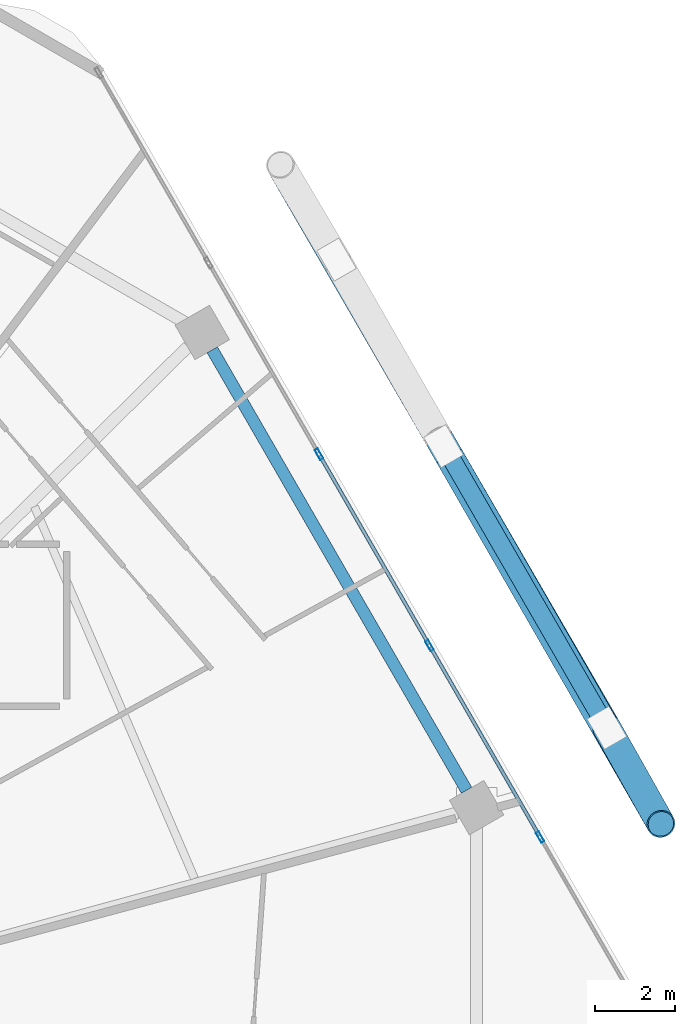
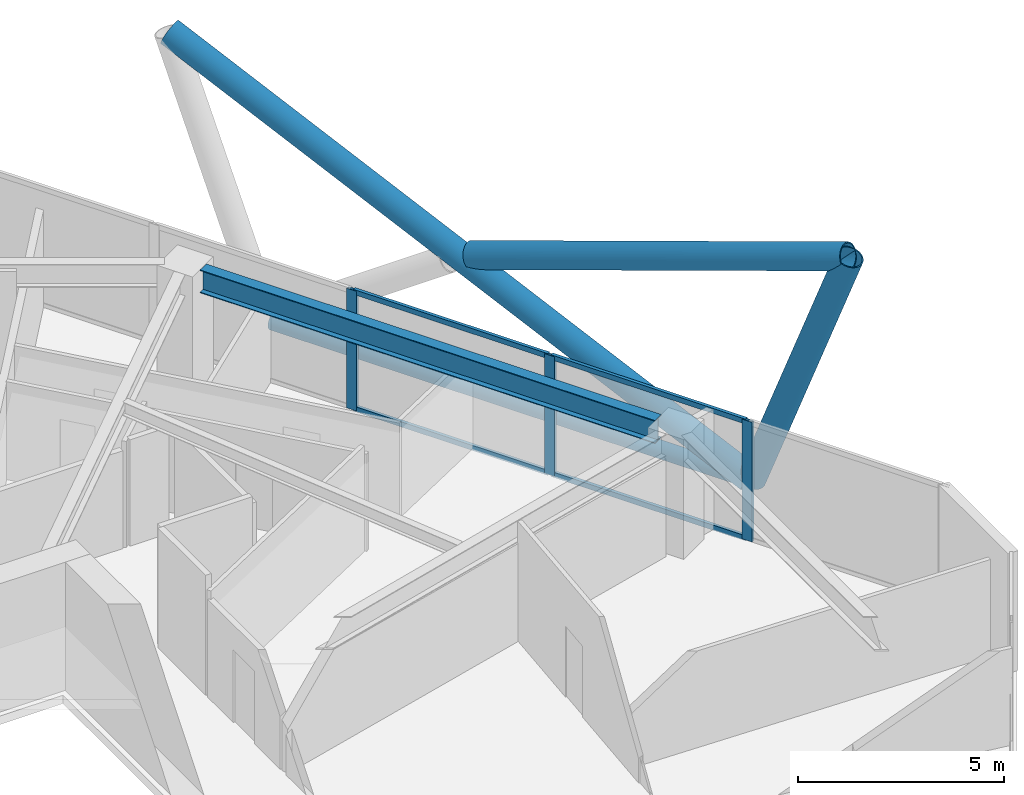
# One storey, part 17 of 29: 11 members, 1 beam, 1 element without a shape of its own.
"""IFC4 building model written with IfcOpenShell, lengths in metres."""

from ifc_helpers import new_model, si_unit, direction, frame, origin, origin_2d, place, context, subcontext, project, spatial, hollow_rectangle, hollow_circle, i_section, extrude, material, material_profile, profile_set, type_object, element, aggregate, save


model = new_model("IFC4")

# Units and contexts
model_context = context("Model", 3, precision=1e-05, world=origin(), true_north=direction((0.0, 1.0)))
body_context = subcontext(model_context, "Body", "Model", "MODEL_VIEW")
ifc_project = project(units=[si_unit("LENGTHUNIT", "METRE"), si_unit("AREAUNIT", "SQUARE_METRE"), si_unit("VOLUMEUNIT", "CUBIC_METRE"), si_unit("PLANEANGLEUNIT", "RADIAN"), si_unit("MASSUNIT", "GRAM", prefix="KILO")], contexts=[model_context])

# Site, building, storey
site_placement = place(None, origin())
site = spatial("IfcSite", under=ifc_project, at=site_placement, CompositionType="ELEMENT")
building_placement = place(site_placement, origin())
building = spatial("IfcBuilding", under=site, at=building_placement, Name="Zuhravey Tower", CompositionType="ELEMENT")
storey_placement = place(building_placement, frame((0.0, 0.0, 184.60009765625)))
storey = spatial("IfcBuildingStorey", under=building, at=storey_placement, Name="L46", CompositionType="ELEMENT", Elevation=184.60009765625)

# Curtain wall, members
ifc_material_1 = material(Name="Thermally broken anodised aluminium", Category="aluminium")
curtain_wall_type = type_object("IfcCurtainWallType", Name="Zone 1-2 Residential Curtain Wall CW3", PredefinedType="NOTDEFINED", material=ifc_material_1)
curtain_wall_placement = place(storey_placement, origin())
curtain_wall = element("IfcCurtainWall", 1, at=curtain_wall_placement, inside=storey, type_object=curtain_wall_type, Name="L46 CW3 CW-L46-F1-1", PredefinedType="NOTDEFINED")
ifc_material_2 = material(Name="Anodised aluminium", Category="aluminium")
ifc_material_profile_1 = material_profile(ifc_material_2, hollow_rectangle(XDim=0.090087890625, YDim=0.284912109375, WallThickness=0.0048828125, at=origin_2d()), Name="ALU-RHS-90x285x5")
ifc_profile_set_1 = profile_set([ifc_material_profile_1], Name="Anodised aluminium")
member_type_1 = type_object("IfcMemberType", Name="Curtain-Wall Mullion 90x180", PredefinedType="MULLION", material=ifc_profile_set_1)
member_1_placement = place(storey_placement, frame((58.155029296875, 47.992431640625, 0.0), z_axis=(0.0, 0.0, 1.0), x_axis=(0.866025138215, 0.500000459979, 0.0)))
member_1 = element("IfcMember", 2, at=member_1_placement, type_object=member_type_1, Name="CW3 mullion 3", PredefinedType="MULLION", context=body_context, shape_type="SweptSolid", body=[
    extrude(hollow_rectangle(XDim=0.090087890625, YDim=0.284912109375, WallThickness=0.0048828125, at=origin_2d()), origin(), (0.0, 0.0, 1.0), 3.5498046875),
])
member_2_placement = place(storey_placement, frame((60.92724609375, 43.190673828125, 0.0), z_axis=(0.0, 0.0, 1.0), x_axis=(0.866025138215, 0.500000459979, 0.0)))
member_2 = element("IfcMember", 3, at=member_2_placement, type_object=member_type_1, Name="CW3 mullion 4", PredefinedType="MULLION", context=body_context, shape_type="SweptSolid", body=[
    extrude(hollow_rectangle(XDim=0.090087890625, YDim=0.284912109375, WallThickness=0.0048828125, at=origin_2d()), origin(), (0.0, 0.0, 1.0), 3.5498046875),
])
member_3_placement = place(storey_placement, frame((63.699462890625, 38.38916015625, 0.0), z_axis=(0.0, 0.0, 1.0), x_axis=(0.866025138215, 0.500000459979, 0.0)))
member_3 = element("IfcMember", 4, at=member_3_placement, type_object=member_type_1, Name="CW3 mullion 5", PredefinedType="MULLION", context=body_context, shape_type="SweptSolid", body=[
    extrude(hollow_rectangle(XDim=0.090087890625, YDim=0.284912109375, WallThickness=0.0048828125, at=origin_2d()), origin(), (0.0, 0.0, 1.0), 3.5498046875),
])
ifc_material_profile_2 = material_profile(ifc_material_2, hollow_rectangle(XDim=0.090087890625, YDim=0.14990234375, WallThickness=0.0048828125, at=origin_2d()), Name="ALU-RHS-90x150x5")
ifc_profile_set_2 = profile_set([ifc_material_profile_2], Name="Anodised aluminium")
member_type_2 = type_object("IfcMemberType", Name="Curtain-Wall Transom 90x150", PredefinedType="USERDEFINED", material=ifc_profile_set_2)
member_4_placement = place(storey_placement, frame((58.177734375, 47.953369140625, 0.044921875), z_axis=(0.499980763544, -0.866036509673, 0.0), x_axis=(0.866036509673, 0.499980763544, 0.0)))
member_4 = element("IfcMember", 5, at=member_4_placement, type_object=member_type_2, Name="CW3 transom 3.1", ObjectType="TRANSOM", PredefinedType="USERDEFINED", context=body_context, shape_type="SweptSolid", body=[
    extrude(hollow_rectangle(XDim=0.090087890625, YDim=0.14990234375, WallThickness=0.0048828125, at=origin_2d()), origin(), (0.0, 0.0, 1.0), 5.454345703125),
])
member_5_placement = place(storey_placement, frame((58.177734375, 47.953369140625, 3.5048828125), z_axis=(0.499980763544, -0.866036509673, 0.0), x_axis=(0.866036509673, 0.499980763544, 0.0)))
member_5 = element("IfcMember", 6, at=member_5_placement, type_object=member_type_2, Name="CW3 transom 3.2", ObjectType="TRANSOM", PredefinedType="USERDEFINED", context=body_context, shape_type="SweptSolid", body=[
    extrude(hollow_rectangle(XDim=0.090087890625, YDim=0.14990234375, WallThickness=0.0048828125, at=origin_2d()), origin(), (0.0, 0.0, 1.0), 5.454345703125),
])
member_6_placement = place(storey_placement, frame((60.949951171875, 43.15185546875, 0.044921875), z_axis=(0.49996138257, -0.86604769842, 0.0), x_axis=(0.86604769842, 0.49996138257, 0.0)))
member_6 = element("IfcMember", 7, at=member_6_placement, type_object=member_type_2, Name="CW3 transom 4.1", ObjectType="TRANSOM", PredefinedType="USERDEFINED", context=body_context, shape_type="SweptSolid", body=[
    extrude(hollow_rectangle(XDim=0.090087890625, YDim=0.14990234375, WallThickness=0.0048828125, at=origin_2d()), origin(), (0.0, 0.0, 1.0), 5.45458984375),
])
member_7_placement = place(storey_placement, frame((60.949951171875, 43.15185546875, 3.5048828125), z_axis=(0.49996138257, -0.86604769842, 0.0), x_axis=(0.86604769842, 0.49996138257, 0.0)))
member_7 = element("IfcMember", 8, at=member_7_placement, type_object=member_type_2, Name="CW3 transom 4.2", ObjectType="TRANSOM", PredefinedType="USERDEFINED", context=body_context, shape_type="SweptSolid", body=[
    extrude(hollow_rectangle(XDim=0.090087890625, YDim=0.14990234375, WallThickness=0.0048828125, at=origin_2d()), origin(), (0.0, 0.0, 1.0), 5.45458984375),
])
aggregate(curtain_wall, [member_1, member_2, member_3, member_4, member_5, member_6, member_7])

# Members
ifc_material_3 = material(Name="Steel SM355", Category="steel")
ifc_material_profile_3 = material_profile(ifc_material_3, hollow_circle(Radius=0.228515625, WallThickness=0.02197265625, at=origin_2d()), Name="CHS-457.2x22")
ifc_profile_set_3 = profile_set([ifc_material_profile_3], Name="Steel SM355")
member_type_3 = type_object("IfcMemberType", Name="Exoskeleton Ring Tie CHS457x22", PredefinedType="CHORD", material=ifc_profile_set_3)
member_8_placement = place(storey_placement, frame((65.303955078125, 41.250244140625, -0.464111328125), z_axis=(-0.499996131841, 0.866027637056, 0.0), x_axis=(-0.866027637056, -0.499996131841, 0.0)))
element("IfcMember", 9, at=member_8_placement, inside=storey, type_object=member_type_3, Name="L46 Exoskeleton Face 1 Tie EXR1", PredefinedType="CHORD", context=body_context, shape_type="SweptSolid", body=[
    extrude(hollow_circle(Radius=0.228515625, WallThickness=0.02197265625, at=origin_2d()), origin(), (0.0, 0.0, 1.0), 13.28173828125),
])
ifc_material_4 = material(Name="Steel SM460", Category="steel")
ifc_material_profile_4 = material_profile(ifc_material_4, hollow_circle(Radius=0.355712890625, WallThickness=0.031982421875, at=origin_2d()), Name="CHS-711.2x32")
ifc_profile_set_4 = profile_set([ifc_material_profile_4], Name="Steel SM460")
member_type_4 = type_object("IfcMemberType", Name="Exoskeleton Zone 2 Diagrid CHS711x32", PredefinedType="BRACE", material=ifc_profile_set_4)
member_9_placement = place(storey_placement, frame((65.37744140625, 41.122802734375, -0.444091796875), z_axis=(0.168240392441, -0.29880415895, 0.939367470666), x_axis=(0.871372283393, 0.490622404436, 0.0)))
element("IfcMember", 10, at=member_9_placement, inside=storey, type_object=member_type_4, Name="L46 Face 1 Diagrid Brace 1", PredefinedType="BRACE", context=body_context, shape_type="SweptSolid", body=[
    extrude(hollow_circle(Radius=0.355712890625, WallThickness=0.031982421875, at=origin_2d()), origin(), (0.0, 0.0, 1.0), 8.048095703125),
])
member_10_placement = place(storey_placement, frame((65.352294921875, 41.166259765625, -0.444091796875), z_axis=(-0.454774771515, 0.784375801066, 0.421822841837), x_axis=(-0.865109294799, -0.501583400894, 0.0)))
element("IfcMember", 11, at=member_10_placement, inside=storey, type_object=member_type_4, Name="L46 Face 1 Diagrid Brace 2", PredefinedType="BRACE", context=body_context, shape_type="SweptSolid", body=[
    extrude(hollow_circle(Radius=0.355712890625, WallThickness=0.031982421875, at=origin_2d()), origin(), (0.0, 0.0, 1.0), 17.92236328125),
])
member_11_placement = place(storey_placement, frame((61.439697265625, 47.912353515625, 3.44921875), z_axis=(0.471210444517, -0.818738510574, 0.328067017974), x_axis=(0.866706878628, 0.498817788915, 0.0)))
element("IfcMember", 12, at=member_11_placement, inside=storey, type_object=member_type_4, Name="L46 Face 1 Split Diagrid Brace 3B", PredefinedType="BRACE", context=body_context, shape_type="SweptSolid", body=[
    extrude(hollow_circle(Radius=0.355712890625, WallThickness=0.031982421875, at=origin_2d()), origin(), (0.0, 0.0, 1.0), 11.190185546875),
])

# Beam
ifc_material_profile_5 = material_profile(ifc_material_3, i_section(OverallWidth=0.300048828125, OverallDepth=0.679931640625, WebThickness=0.012939453125, FlangeThickness=0.02197265625, at=origin_2d()), Name="H-680x300x13x22")
ifc_profile_set_5 = profile_set([ifc_material_profile_5], Name="Steel SM355")
beam_type = type_object("IfcBeamType", Name="Perimeter Ring Beam H680x300", PredefinedType="BEAM", material=ifc_profile_set_5)
beam_placement = place(storey_placement, frame((61.856201171875, 39.56201171875, 3.2099609375), z_axis=(-0.499997974489, 0.866026573211, 0.0), x_axis=(-0.866026573211, -0.499997974489, 0.0)))
element("IfcBeam", 13, at=beam_placement, inside=storey, type_object=beam_type, Name="L46 PB2 BM-L46-PB-01", PredefinedType="BEAM", context=body_context, shape_type="SweptSolid", body=[
    extrude(i_section(OverallWidth=0.300048828125, OverallDepth=0.679931640625, WebThickness=0.012939453125, FlangeThickness=0.02197265625, at=origin_2d()), origin(), (0.0, 0.0, 1.0), 12.75830078125),
])

save(model, "model.ifc")
